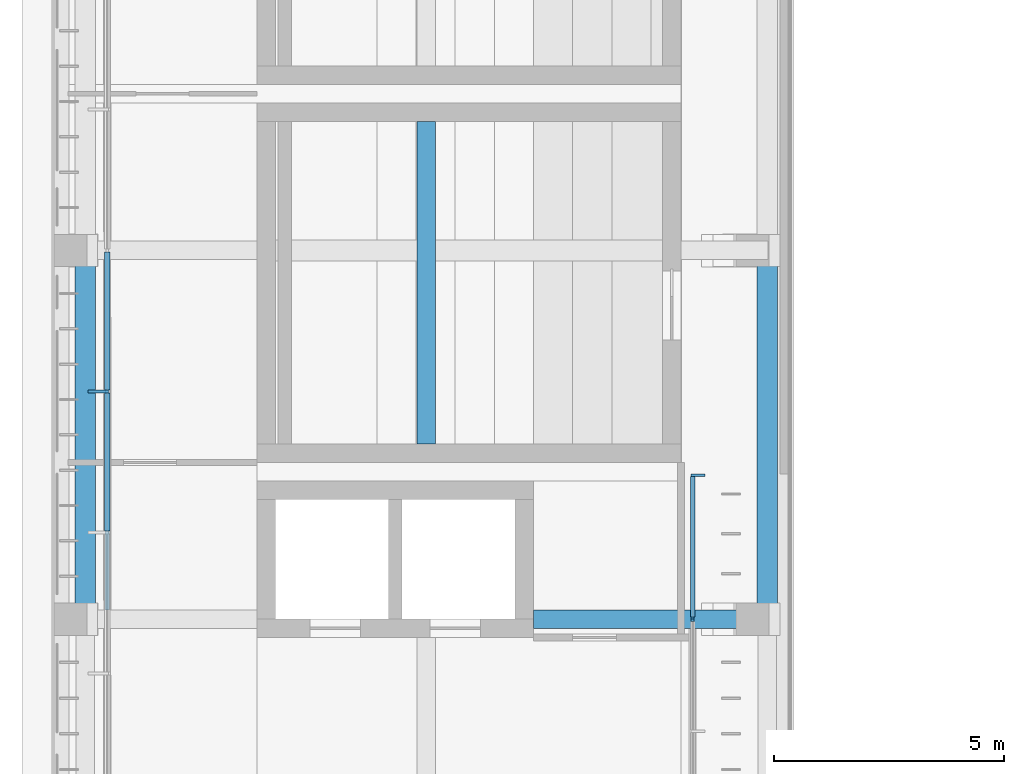
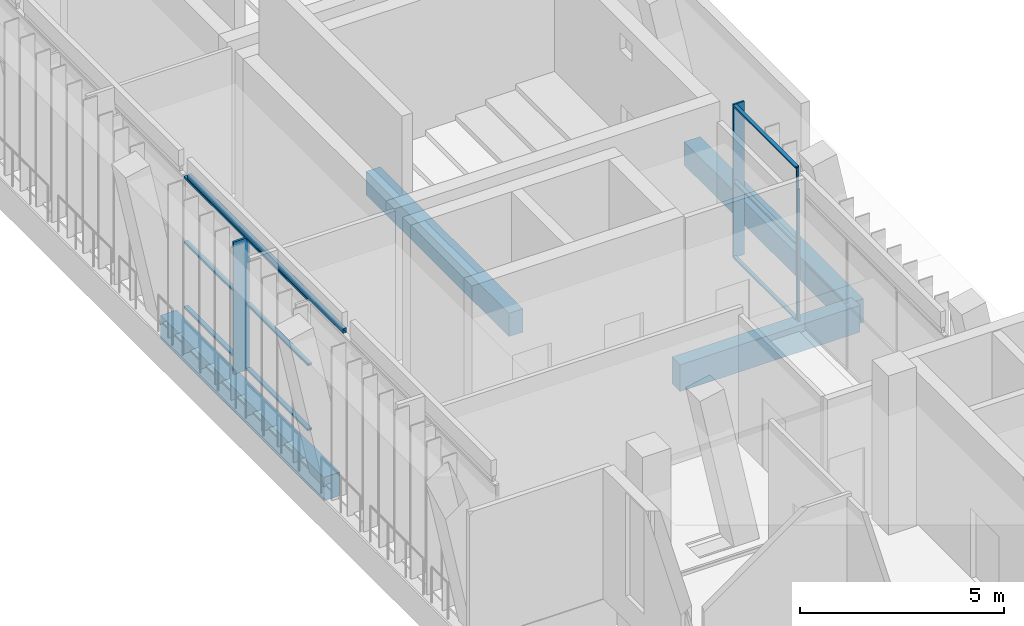
# One storey, part 17 of 74: 13 members, 5 beams, 3 elements without a shape of their own.
"""IFC4 building model written with IfcOpenShell, lengths in metres."""

from ifc_helpers import new_model, si_unit, direction, frame, origin, origin_2d, place, context, subcontext, project, spatial, rectangle, hollow_rectangle, extrude, material, material_profile, profile_set, type_object, element, aggregate, save


model = new_model("IFC4")

# Units and contexts
model_context = context("Model", 3, precision=1e-05, world=origin(), true_north=direction((0.0, 1.0)))
body_context = subcontext(model_context, "Body", "Model", "MODEL_VIEW")
ifc_project = project(units=[si_unit("LENGTHUNIT", "METRE"), si_unit("AREAUNIT", "SQUARE_METRE"), si_unit("VOLUMEUNIT", "CUBIC_METRE"), si_unit("PLANEANGLEUNIT", "RADIAN"), si_unit("MASSUNIT", "GRAM", prefix="KILO")], contexts=[model_context])

# Site, building, storey
site_placement = place(None, origin())
site = spatial("IfcSite", under=ifc_project, at=site_placement, CompositionType="ELEMENT")
building_placement = place(site_placement, origin())
building = spatial("IfcBuilding", under=site, at=building_placement, Name="Lantern Court Media Centre", CompositionType="ELEMENT")
storey_placement = place(building_placement, frame((0.0, 0.0, 19.199951171875)))
storey = spatial("IfcBuildingStorey", under=building, at=storey_placement, Name="L04", CompositionType="ELEMENT", Elevation=19.199951171875)

# Curtain wall, member
ifc_material_1 = material(Name="Curtain wall bay 2400")
curtain_wall_type_1 = type_object("IfcCurtainWallType", Name="Curtain wall bay 2400", PredefinedType="NOTDEFINED", material=ifc_material_1)
curtain_wall_1_placement = place(storey_placement, origin())
curtain_wall_1 = element("IfcCurtainWall", 1, at=curtain_wall_1_placement, inside=storey, type_object=curtain_wall_type_1, Name="Curtain wall W inner L04", PredefinedType="NOTDEFINED")
ifc_material_2 = material(Name="Anodised aluminium", Category="aluminium")
ifc_material_profile_1 = material_profile(ifc_material_2, rectangle(XDim=0.300048828125, YDim=0.050048828125, at=origin_2d()), Name="AL 50x300")
ifc_profile_set_1 = profile_set([ifc_material_profile_1], Name="Anodised aluminium")
member_type_1 = type_object("IfcMemberType", Name="Curtain wall mullion 50x300", PredefinedType="MULLION", material=ifc_profile_set_1)
member_1_placement = place(storey_placement, frame((17.969970703125, 75.125, 0.0), z_axis=(0.0, 0.0, 1.0), x_axis=(-1.0, 0.0, 0.0)))
member_1 = element("IfcMember", 2, at=member_1_placement, type_object=member_type_1, Name="CW2 mullion 2", PredefinedType="MULLION", context=body_context, shape_type="SweptSolid", body=[
    extrude(rectangle(XDim=0.300048828125, YDim=0.050048828125, at=origin_2d()), origin(), (0.0, 0.0, 1.0), 4.580078125),
])

curtain_wall_2_placement = place(storey_placement, origin())
curtain_wall_2 = element("IfcCurtainWall", 3, at=curtain_wall_2_placement, inside=storey, type_object=curtain_wall_type_1, Name="Curtain wall W inner L04", PredefinedType="NOTDEFINED")
ifc_material_profile_2 = material_profile(ifc_material_2, rectangle(XDim=0.06005859375, YDim=0.050048828125, at=origin_2d()), Name="AL 50x60")
ifc_profile_set_2 = profile_set([ifc_material_profile_2], Name="Anodised aluminium")
member_type_2 = type_object("IfcMemberType", Name="Curtain wall mullion 50x60", PredefinedType="MULLION", material=ifc_profile_set_2)
member_2_placement = place(storey_placement, frame((17.85009765625, 71.97509765625, 0.0), z_axis=(0.0, 0.0, 1.0), x_axis=(-1.0, 0.0, 0.0)))
member_2 = element("IfcMember", 4, at=member_2_placement, type_object=member_type_2, Name="CW2 mullion 4", PredefinedType="MULLION", context=body_context, shape_type="SweptSolid", body=[
    extrude(rectangle(XDim=0.06005859375, YDim=0.050048828125, at=origin_2d()), origin(), (0.0, 0.0, 1.0), 3.949951171875),
])
aggregate(curtain_wall_2, [member_2])

# Member
member_3_placement = place(storey_placement, frame((17.85009765625, 72.02490234375, 0.0), z_axis=(0.0, 0.0, 1.0), x_axis=(-1.0, 0.0, 0.0)))
member_3 = element("IfcMember", 5, at=member_3_placement, type_object=member_type_2, Name="CW2 mullion 1", PredefinedType="MULLION", context=body_context, shape_type="SweptSolid", body=[
    extrude(rectangle(XDim=0.06005859375, YDim=0.050048828125, at=origin_2d()), origin(), (0.0, 0.0, 1.0), 4.580078125),
])

# Curtain wall, member
ifc_material_3 = material(Name="Curtain wall bay 3000")
curtain_wall_type_2 = type_object("IfcCurtainWallType", Name="Curtain wall bay 3000", PredefinedType="NOTDEFINED", material=ifc_material_3)
curtain_wall_3_placement = place(storey_placement, origin())
curtain_wall_3 = element("IfcCurtainWall", 6, at=curtain_wall_3_placement, inside=storey, type_object=curtain_wall_type_2, Name="Curtain wall W outer L04", PredefinedType="NOTDEFINED")
ifc_material_profile_3 = material_profile(ifc_material_2, rectangle(XDim=0.449951171875, YDim=0.06005859375, at=origin_2d()), Name="AL 60x450")
ifc_profile_set_3 = profile_set([ifc_material_profile_3], Name="Anodised aluminium")
member_type_3 = type_object("IfcMemberType", Name="Curtain wall mullion 60x450", PredefinedType="MULLION", material=ifc_profile_set_3)
member_4_placement = place(storey_placement, frame((4.955078125, 76.93994140625, 0.0), z_axis=(0.0, 0.0, 1.0), x_axis=(-1.0, 0.0, 0.0)))
member_4 = element("IfcMember", 7, at=member_4_placement, type_object=member_type_3, Name="CW1 mullion 5", PredefinedType="MULLION", context=body_context, shape_type="SweptSolid", body=[
    extrude(rectangle(XDim=0.449951171875, YDim=0.06005859375, at=origin_2d()), origin(), (0.0, 0.0, 1.0), 3.949951171875),
])

# Member
ifc_material_profile_4 = material_profile(ifc_material_2, rectangle(XDim=0.10009765625, YDim=0.050048828125, at=origin_2d()), Name="AL 50x100")
ifc_profile_set_4 = profile_set([ifc_material_profile_4], Name="Anodised aluminium")
member_type_4 = type_object("IfcMemberType", Name="Curtain wall transom 100x50", PredefinedType="USERDEFINED", material=ifc_profile_set_4)
member_5_placement = place(storey_placement, frame((17.85009765625, 72.050048828125, 0.025146484375), z_axis=(0.0, 1.0, 0.0), x_axis=(-1.0, 0.0, 0.0)))
member_5 = element("IfcMember", 8, at=member_5_placement, type_object=member_type_4, Name="CW2 transom 1.1", ObjectType="TRANSOM", PredefinedType="USERDEFINED", context=body_context, shape_type="SweptSolid", body=[
    extrude(rectangle(XDim=0.10009765625, YDim=0.050048828125, at=origin_2d()), origin(), (0.0, 0.0, 1.0), 3.050048828125),
])

member_6_placement = place(storey_placement, frame((17.85009765625, 72.050048828125, 2.2900390625), z_axis=(0.0, 1.0, 0.0), x_axis=(-1.0, 0.0, 0.0)))
member_6 = element("IfcMember", 9, at=member_6_placement, type_object=member_type_4, Name="CW2 transom 1.2", ObjectType="TRANSOM", PredefinedType="USERDEFINED", context=body_context, shape_type="SweptSolid", body=[
    extrude(rectangle(XDim=0.10009765625, YDim=0.050048828125, at=origin_2d()), origin(), (0.0, 0.0, 1.0), 3.050048828125),
])

member_7_placement = place(storey_placement, frame((17.85009765625, 72.050048828125, 4.554931640625), z_axis=(0.0, 1.0, 0.0), x_axis=(-1.0, 0.0, 0.0)))
member_7 = element("IfcMember", 10, at=member_7_placement, type_object=member_type_4, Name="CW2 transom 1.3", ObjectType="TRANSOM", PredefinedType="USERDEFINED", context=body_context, shape_type="SweptSolid", body=[
    extrude(rectangle(XDim=0.10009765625, YDim=0.050048828125, at=origin_2d()), origin(), (0.0, 0.0, 1.0), 3.050048828125),
])

aggregate(curtain_wall_1, [member_3, member_1, member_5, member_6, member_7])

ifc_material_profile_5 = material_profile(ifc_material_2, rectangle(XDim=0.1201171875, YDim=0.06005859375, at=origin_2d()), Name="AL 60x120")
ifc_profile_set_5 = profile_set([ifc_material_profile_5], Name="Anodised aluminium")
member_type_5 = type_object("IfcMemberType", Name="Curtain wall transom 60x120", PredefinedType="USERDEFINED", material=ifc_profile_set_5)
member_8_placement = place(storey_placement, frame((5.14990234375, 73.909912109375, 0.030029296875), z_axis=(0.0, 1.0, 0.0), x_axis=(-1.0, 0.0, 0.0)))
member_8 = element("IfcMember", 11, at=member_8_placement, type_object=member_type_5, Name="CW1 transom 4.1", ObjectType="TRANSOM", PredefinedType="USERDEFINED", context=body_context, shape_type="SweptSolid", body=[
    extrude(rectangle(XDim=0.1201171875, YDim=0.06005859375, at=origin_2d()), origin(), (0.0, 0.0, 1.0), 3.0),
])

member_9_placement = place(storey_placement, frame((5.14990234375, 73.909912109375, 1.97509765625), z_axis=(0.0, 1.0, 0.0), x_axis=(-1.0, 0.0, 0.0)))
member_9 = element("IfcMember", 12, at=member_9_placement, type_object=member_type_5, Name="CW1 transom 4.2", ObjectType="TRANSOM", PredefinedType="USERDEFINED", context=body_context, shape_type="SweptSolid", body=[
    extrude(rectangle(XDim=0.1201171875, YDim=0.06005859375, at=origin_2d()), origin(), (0.0, 0.0, 1.0), 3.0),
])

member_10_placement = place(storey_placement, frame((5.14990234375, 73.909912109375, 3.920166015625), z_axis=(0.0, 1.0, 0.0), x_axis=(-1.0, 0.0, 0.0)))
member_10 = element("IfcMember", 13, at=member_10_placement, type_object=member_type_5, Name="CW1 transom 4.3", ObjectType="TRANSOM", PredefinedType="USERDEFINED", context=body_context, shape_type="SweptSolid", body=[
    extrude(rectangle(XDim=0.1201171875, YDim=0.06005859375, at=origin_2d()), origin(), (0.0, 0.0, 1.0), 3.0),
])

member_11_placement = place(storey_placement, frame((5.14990234375, 76.969970703125, 0.030029296875), z_axis=(0.0, 1.0, 0.0), x_axis=(-1.0, 0.0, 0.0)))
member_11 = element("IfcMember", 14, at=member_11_placement, type_object=member_type_5, Name="CW1 transom 5.1", ObjectType="TRANSOM", PredefinedType="USERDEFINED", context=body_context, shape_type="SweptSolid", body=[
    extrude(rectangle(XDim=0.1201171875, YDim=0.06005859375, at=origin_2d()), origin(), (0.0, 0.0, 1.0), 3.0),
])

member_12_placement = place(storey_placement, frame((5.14990234375, 76.969970703125, 1.97509765625), z_axis=(0.0, 1.0, 0.0), x_axis=(-1.0, 0.0, 0.0)))
member_12 = element("IfcMember", 15, at=member_12_placement, type_object=member_type_5, Name="CW1 transom 5.2", ObjectType="TRANSOM", PredefinedType="USERDEFINED", context=body_context, shape_type="SweptSolid", body=[
    extrude(rectangle(XDim=0.1201171875, YDim=0.06005859375, at=origin_2d()), origin(), (0.0, 0.0, 1.0), 3.0),
])

member_13_placement = place(storey_placement, frame((5.14990234375, 76.969970703125, 3.920166015625), z_axis=(0.0, 1.0, 0.0), x_axis=(-1.0, 0.0, 0.0)))
member_13 = element("IfcMember", 16, at=member_13_placement, type_object=member_type_5, Name="CW1 transom 5.3", ObjectType="TRANSOM", PredefinedType="USERDEFINED", context=body_context, shape_type="SweptSolid", body=[
    extrude(rectangle(XDim=0.1201171875, YDim=0.06005859375, at=origin_2d()), origin(), (0.0, 0.0, 1.0), 3.0),
])

aggregate(curtain_wall_3, [member_4, member_8, member_9, member_10, member_11, member_12, member_13])

# Beams
ifc_material_4 = material(Name="Steel S355J2 (EN 10025-2)", Category="steel")
ifc_material_profile_6 = material_profile(ifc_material_4, hollow_rectangle(XDim=0.10009765625, YDim=0.14990234375, WallThickness=0.00634765625, InnerFilletRadius=0.00634765625, OuterFilletRadius=0.009521484375, at=origin_2d()), Name="Facade head lintel RHS 150x100x6.3")
ifc_profile_set_6 = profile_set([ifc_material_profile_6], Name="Steel S355J2 (EN 10025-2)")
beam_type_1 = type_object("IfcBeamType", Name="Facade head lintel RHS 150x100x6.3", PredefinedType="BEAM", material=ifc_profile_set_6)
beam_1_placement = place(storey_placement, frame((5.14990234375, 72.199951171875, 4.025146484375), z_axis=(0.0, 1.0, 0.0), x_axis=(-1.0, 0.0, 0.0)))
element("IfcBeam", 17, at=beam_1_placement, inside=storey, type_object=beam_type_1, Name="Facade head lintel W L04", PredefinedType="BEAM", context=body_context, shape_type="SweptSolid", body=[
    extrude(hollow_rectangle(XDim=0.10009765625, YDim=0.14990234375, WallThickness=0.00634765625, InnerFilletRadius=0.00634765625, OuterFilletRadius=0.009521484375, at=origin_2d()), origin(), (0.0, 0.0, 1.0), 7.60009765625),
])
ifc_material_5 = material(Name="Concrete C35", Category="concrete")
ifc_material_profile_7 = material_profile(ifc_material_5, rectangle(XDim=0.39990234375, YDim=0.699951171875, at=origin_2d()), Name="RC 400x700")
ifc_profile_set_7 = profile_set([ifc_material_profile_7], Name="Concrete C35")
beam_type_2 = type_object("IfcBeamType", Name="RC BEAM 400x700", PredefinedType="BEAM", material=ifc_profile_set_7)
beam_2_placement = place(storey_placement, frame((12.072998046875, 75.800048828125, -0.349853515625), z_axis=(0.0, 1.0, 0.0), x_axis=(-1.0, 0.0, 0.0)))
element("IfcBeam", 18, at=beam_2_placement, inside=storey, type_object=beam_type_2, Name="LB-W-L04-1-01", PredefinedType="BEAM", context=body_context, shape_type="SweptSolid", body=[
    extrude(rectangle(XDim=0.39990234375, YDim=0.699951171875, at=origin_2d()), origin(), (0.0, 0.0, 1.0), 7.0),
])
ifc_material_profile_8 = material_profile(ifc_material_5, rectangle(XDim=0.39990234375, YDim=0.800048828125, at=origin_2d()), Name="RC 400x800")
ifc_profile_set_8 = profile_set([ifc_material_profile_8], Name="Concrete C35")
beam_type_3 = type_object("IfcBeamType", Name="RC BEAM 400x800", PredefinedType="BEAM", material=ifc_profile_set_8)
beam_3_placement = place(storey_placement, frame((14.39990234375, 72.0, -0.39990234375), z_axis=(1.0, 0.0, 0.0), x_axis=(0.0, 1.0, 0.0)))
element("IfcBeam", 19, at=beam_3_placement, inside=storey, type_object=beam_type_3, Name="TB-W-L04-1-11", PredefinedType="BEAM", context=body_context, shape_type="SweptSolid", body=[
    extrude(rectangle(XDim=0.39990234375, YDim=0.800048828125, at=origin_2d()), origin(), (0.0, 0.0, 1.0), 5.08349609375),
])
ifc_material_profile_9 = material_profile(ifc_material_5, rectangle(XDim=0.449951171875, YDim=0.699951171875, at=origin_2d()), Name="RC 450x700")
ifc_profile_set_9 = profile_set([ifc_material_profile_9], Name="Concrete C35")
beam_type_4 = type_object("IfcBeamType", Name="RC BEAM 450x700", PredefinedType="BEAM", material=ifc_profile_set_9)
for number, where, z_axis, x_axis, name in (
    (20, (4.6728515625, 72.0, -0.349853515625), (0.0, 1.0, 0.0), (-1.0, 0.0, 0.0), "LB-W-L04-0-1"),
    (21, (19.472900390625, 72.0, -0.349853515625), (0.0, 1.0, 0.0), (-1.0, 0.0, 0.0), "LB-W-L04-2-1"),
):
    element("IfcBeam", number, at=place(storey_placement, frame(where, z_axis=z_axis, x_axis=x_axis)), inside=storey, type_object=beam_type_4, Name=name, PredefinedType="BEAM", context=body_context, shape_type="SweptSolid", body=[
        extrude(rectangle(XDim=0.449951171875, YDim=0.699951171875, at=origin_2d()), origin(), (0.0, 0.0, 1.0), 8.0),
    ])

save(model, "model.ifc")
